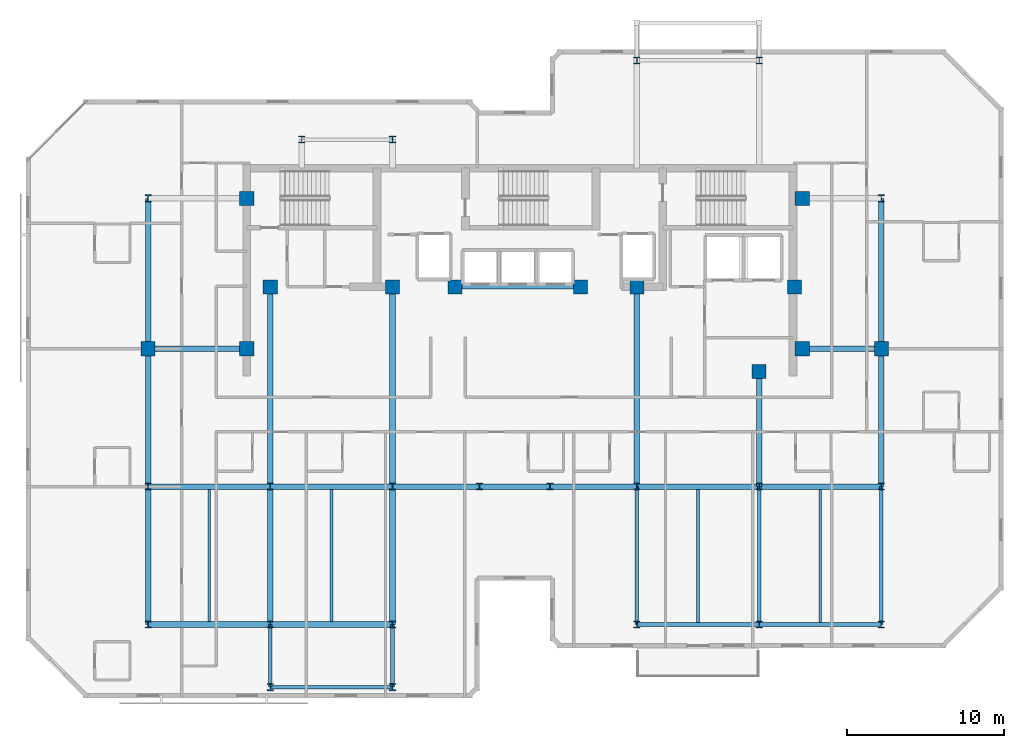
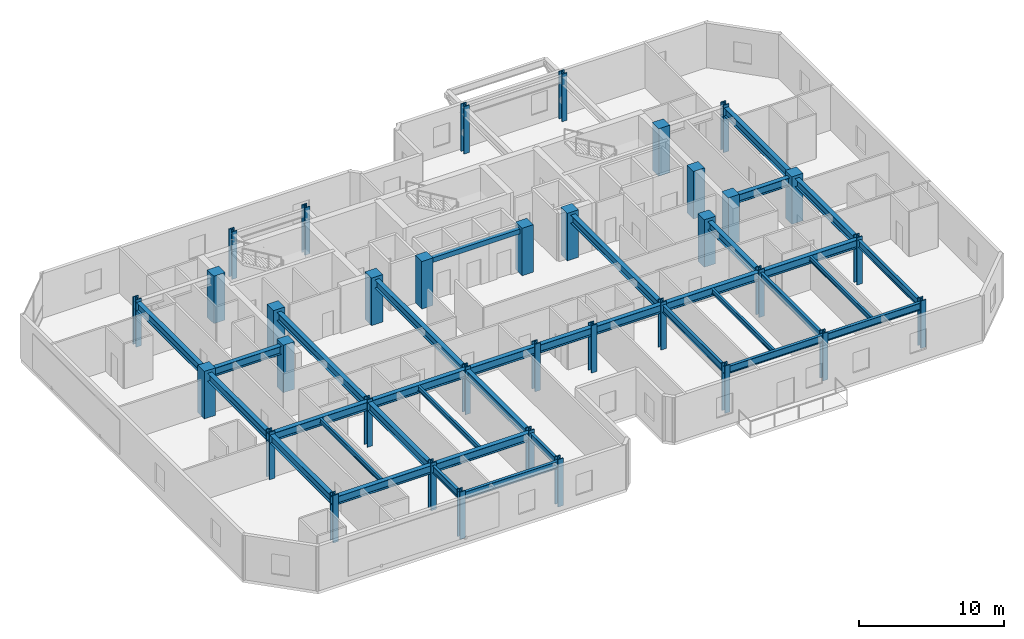
# One storey, part 1 of 10: 35 beams, 35 columns.
"""IFC4 building model written with IfcOpenShell, lengths in metres."""

from ifc_helpers import new_model, si_unit, direction, frame, origin, origin_2d, place, context, subcontext, project, spatial, rectangle, i_section, extrude, material, material_profile, profile_set, type_object, element, save


model = new_model("IFC4")

# Units and contexts
model_context = context("Model", 3, precision=1e-05, world=origin(), true_north=direction((0.0, 1.0)))
body_context = subcontext(model_context, "Body", "Model", "MODEL_VIEW")
ifc_project = project(units=[si_unit("LENGTHUNIT", "METRE"), si_unit("AREAUNIT", "SQUARE_METRE"), si_unit("VOLUMEUNIT", "CUBIC_METRE"), si_unit("PLANEANGLEUNIT", "RADIAN"), si_unit("MASSUNIT", "GRAM", prefix="KILO")], contexts=[model_context])

# Site, building, storey
site_placement = place(None, origin())
site = spatial("IfcSite", under=ifc_project, at=site_placement, CompositionType="ELEMENT")
building_placement = place(site_placement, origin())
building = spatial("IfcBuilding", under=site, at=building_placement, Name="Kestravale Grand Hotel", CompositionType="ELEMENT")
storey_placement = place(building_placement, frame((0.0, 0.0, 253.39990234375)))
storey = spatial("IfcBuildingStorey", under=building, at=storey_placement, Name="L63", CompositionType="ELEMENT", Elevation=253.39990234375)

# Columns
ifc_material_1 = material(Name="Concrete f'c 50 MPa", Category="concrete")
ifc_material_profile_1 = material_profile(ifc_material_1, rectangle(XDim=0.89990234375, YDim=0.89990234375, at=origin_2d()))
ifc_profile_set_1 = profile_set([ifc_material_profile_1], Name="Concrete f'c 50 MPa")
column_type_1 = type_object("IfcColumnType", Name="C-Z4-900", PredefinedType="COLUMN", material=ifc_profile_set_1)
for number, where, z_axis, x_axis, name in (
    (1, (15.60009765625, 28.800048828125, 0.0), (0.0, 0.0, 1.0), (1.0, 0.0, 0.0), "L63 column 3-E"),
    (2, (62.39990234375, 28.800048828125, 0.0), (0.0, 0.0, 1.0), (1.0, 0.0, 0.0), "L63 column 10-E"),
    (3, (21.89990234375, 28.800048828125, 0.0), (0.0, 0.0, 1.0), (1.0, 0.0, 0.0), "L63 column CW-E"),
    (4, (21.89990234375, 38.39990234375, 0.0), (0.0, 0.0, 1.0), (1.0, 0.0, 0.0), "L63 column CW-F"),
    (5, (57.35009765625, 28.800048828125, 0.0), (0.0, 0.0, 1.0), (1.0, 0.0, 0.0), "L63 column CE-E"),
    (6, (57.35009765625, 38.39990234375, 0.0), (0.0, 0.0, 1.0), (1.0, 0.0, 0.0), "L63 column CE-F"),
    (7, (23.39990234375, 32.75, 0.0), (0.0, 0.0, 1.0), (1.0, 0.0, 0.0), "L63 column 4-CS"),
    (8, (31.199951171875, 32.75, 0.0), (0.0, 0.0, 1.0), (1.0, 0.0, 0.0), "L63 column 5-CS"),
    (9, (35.199951171875, 32.75, 0.0), (0.0, 0.0, 1.0), (1.0, 0.0, 0.0), "L63 column 6C-CS"),
    (10, (43.199951171875, 32.75, 0.0), (0.0, 0.0, 1.0), (1.0, 0.0, 0.0), "L63 column 7C-CS"),
    (11, (46.800048828125, 32.75, 0.0), (0.0, 0.0, 1.0), (1.0, 0.0, 0.0), "L63 column 8-CS"),
    (12, (54.60009765625, 27.35009765625, 0.0), (0.0, 0.0, 1.0), (1.0, 0.0, 0.0), "L63 column 9-CS"),
    (13, (56.85009765625, 32.75, 0.0), (0.0, 0.0, 1.0), (1.0, 0.0, 0.0), "L63 column 9C-CS"),
):
    element("IfcColumn", number, at=place(storey_placement, frame(where, z_axis=z_axis, x_axis=x_axis)), inside=storey, type_object=column_type_1, Name=name, PredefinedType="COLUMN", context=body_context, shape_type="SweptSolid", body=[
        extrude(rectangle(XDim=0.89990234375, YDim=0.89990234375, at=origin_2d()), origin(), (0.0, 0.0, 1.0), 4.0),
    ])
ifc_material_2 = material(Name="Steel ASTM A992 Grade 50", Category="steel")
ifc_material_profile_2 = material_profile(ifc_material_2, i_section(OverallWidth=0.422119140625, OverallDepth=0.465087890625, WebThickness=0.044921875, FlangeThickness=0.072509765625, FilletRadius=0.0166015625, at=origin_2d()))
ifc_profile_set_2 = profile_set([ifc_material_profile_2], Name="Steel ASTM A992 Grade 50")
column_type_2 = type_object("IfcColumnType", Name="C-Z4-W14X398", PredefinedType="COLUMN", material=ifc_profile_set_2)
for number, where, z_axis, x_axis, name in (
    (14, (15.60009765625, 11.199951171875, 0.0), (0.0, 0.0, 1.0), (1.0, 0.0, 0.0), "L63 column 3-C"),
    (15, (15.60009765625, 20.0, 0.0), (0.0, 0.0, 1.0), (1.0, 0.0, 0.0), "L63 column 3-D"),
    (16, (15.60009765625, 38.39990234375, 0.0), (0.0, 0.0, 1.0), (1.0, 0.0, 0.0), "L63 column 3-F"),
    (17, (23.39990234375, 11.199951171875, 0.0), (0.0, 0.0, 1.0), (1.0, 0.0, 0.0), "L63 column 4-C"),
    (18, (23.39990234375, 20.0, 0.0), (0.0, 0.0, 1.0), (1.0, 0.0, 0.0), "L63 column 4-D"),
    (19, (31.199951171875, 11.199951171875, 0.0), (0.0, 0.0, 1.0), (1.0, 0.0, 0.0), "L63 column 5-C"),
    (20, (31.199951171875, 20.0, 0.0), (0.0, 0.0, 1.0), (1.0, 0.0, 0.0), "L63 column 5-D"),
    (21, (36.75, 20.0, 0.0), (0.0, 0.0, 1.0), (1.0, 0.0, 0.0), "L63 column 6-D"),
    (22, (41.25, 20.0, 0.0), (0.0, 0.0, 1.0), (1.0, 0.0, 0.0), "L63 column 7-D"),
    (23, (46.800048828125, 11.199951171875, 0.0), (0.0, 0.0, 1.0), (1.0, 0.0, 0.0), "L63 column 8-C"),
    (24, (46.800048828125, 20.0, 0.0), (0.0, 0.0, 1.0), (1.0, 0.0, 0.0), "L63 column 8-D"),
    (25, (46.800048828125, 47.199951171875, 0.0), (0.0, 0.0, 1.0), (1.0, 0.0, 0.0), "L63 column 8-G"),
    (26, (54.60009765625, 11.199951171875, 0.0), (0.0, 0.0, 1.0), (1.0, 0.0, 0.0), "L63 column 9-C"),
    (27, (54.60009765625, 20.0, 0.0), (0.0, 0.0, 1.0), (1.0, 0.0, 0.0), "L63 column 9-D"),
    (28, (54.60009765625, 47.199951171875, 0.0), (0.0, 0.0, 1.0), (1.0, 0.0, 0.0), "L63 column 9-G"),
    (29, (62.39990234375, 11.199951171875, 0.0), (0.0, 0.0, 1.0), (1.0, 0.0, 0.0), "L63 column 10-C"),
    (30, (62.39990234375, 20.0, 0.0), (0.0, 0.0, 1.0), (1.0, 0.0, 0.0), "L63 column 10-D"),
    (31, (62.39990234375, 38.39990234375, 0.0), (0.0, 0.0, 1.0), (1.0, 0.0, 0.0), "L63 column 10-F"),
    (32, (23.39990234375, 7.199951171875, 0.0), (0.0, 0.0, 1.0), (1.0, 0.0, 0.0), "L63 column 4-BS"),
    (33, (31.199951171875, 7.199951171875, 0.0), (0.0, 0.0, 1.0), (1.0, 0.0, 0.0), "L63 column 5-BS"),
    (34, (25.39990234375, 42.14990234375, 0.0), (0.0, 0.0, 1.0), (1.0, 0.0, 0.0), "L63 column 4-FN"),
    (35, (31.199951171875, 42.14990234375, 0.0), (0.0, 0.0, 1.0), (1.0, 0.0, 0.0), "L63 column 5-FN"),
):
    element("IfcColumn", number, at=place(storey_placement, frame(where, z_axis=z_axis, x_axis=x_axis)), inside=storey, type_object=column_type_2, Name=name, PredefinedType="COLUMN", context=body_context, shape_type="SweptSolid", body=[
        extrude(i_section(OverallWidth=0.422119140625, OverallDepth=0.465087890625, WebThickness=0.044921875, FlangeThickness=0.072509765625, FilletRadius=0.0166015625, at=origin_2d()), origin(), (0.0, 0.0, 1.0), 4.0),
    ])

# Beams
ifc_material_3 = material(Name="Steel ASTM A992 Grade 50", Category="steel")
ifc_material_profile_3 = material_profile(ifc_material_3, i_section(OverallWidth=0.177978515625, OverallDepth=0.404052734375, WebThickness=0.007568359375, FlangeThickness=0.010986328125, FilletRadius=0.01416015625, at=origin_2d()))
ifc_profile_set_3 = profile_set([ifc_material_profile_3], Name="Steel ASTM A992 Grade 50")
beam_type_1 = type_object("IfcBeamType", Name="B-FLR-JST16", PredefinedType="JOIST", material=ifc_profile_set_3)
for number, where, z_axis, x_axis, name in (
    (36, (19.5, 11.3779296875, 3.55810546875), (0.0, 1.0, 0.0), (-1.0, 0.0, 0.0), "L63 floor joist 3-4/C-D #1"),
    (37, (27.300048828125, 11.3779296875, 3.55810546875), (0.0, 1.0, 0.0), (-1.0, 0.0, 0.0), "L63 floor joist 4-5/C-D #1"),
):
    element("IfcBeam", number, at=place(storey_placement, frame(where, z_axis=z_axis, x_axis=x_axis)), inside=storey, type_object=beam_type_1, Name=name, PredefinedType="JOIST", context=body_context, shape_type="SweptSolid", body=[
        extrude(i_section(OverallWidth=0.177978515625, OverallDepth=0.404052734375, WebThickness=0.007568359375, FlangeThickness=0.010986328125, FilletRadius=0.01416015625, at=origin_2d()), origin(), (0.0, 0.0, 1.0), 8.444091796875),
    ])
for number, where, z_axis, x_axis, name in (
    (38, (50.699951171875, 11.314453125, 3.55810546875), (0.0, 1.0, 0.0), (-1.0, 0.0, 0.0), "L63 floor joist 8-9/C-D #1"),
    (39, (58.5, 11.314453125, 3.55810546875), (0.0, 1.0, 0.0), (-1.0, 0.0, 0.0), "L63 floor joist 9-10/C-D #1"),
):
    element("IfcBeam", number, at=place(storey_placement, frame(where, z_axis=z_axis, x_axis=x_axis)), inside=storey, type_object=beam_type_1, Name=name, PredefinedType="JOIST", context=body_context, shape_type="SweptSolid", body=[
        extrude(i_section(OverallWidth=0.177978515625, OverallDepth=0.404052734375, WebThickness=0.007568359375, FlangeThickness=0.010986328125, FilletRadius=0.01416015625, at=origin_2d()), origin(), (0.0, 0.0, 1.0), 8.507568359375),
    ])
ifc_material_4 = material(Name="Concrete f'c 45 MPa", Category="concrete")
ifc_material_profile_4 = material_profile(ifc_material_4, rectangle(XDim=0.300048828125, YDim=0.39990234375, at=origin_2d()))
ifc_profile_set_4 = profile_set([ifc_material_profile_4], Name="Concrete f'c 45 MPa")
beam_type_2 = type_object("IfcBeamType", Name="B-FLR-LNT400", PredefinedType="LINTEL", material=ifc_profile_set_4)
beam_1_placement = place(storey_placement, frame((35.199951171875, 32.75, 3.56005859375), z_axis=(1.0, 0.0, 0.0), x_axis=(0.0, 1.0, 0.0)))
element("IfcBeam", 40, at=beam_1_placement, inside=storey, type_object=beam_type_2, Name="L63 core portal header lintel", PredefinedType="LINTEL", context=body_context, shape_type="SweptSolid", body=[
    extrude(rectangle(XDim=0.300048828125, YDim=0.39990234375, at=origin_2d()), origin(), (0.0, 0.0, 1.0), 8.0),
])
ifc_material_5 = material(Name="Steel ASTM A992 Grade 50", Category="steel")
ifc_material_profile_5 = material_profile(ifc_material_5, i_section(OverallWidth=0.22900390625, OverallDepth=0.612060546875, WebThickness=0.011962890625, FlangeThickness=0.01953125, FilletRadius=0.019287109375, at=origin_2d()))
ifc_profile_set_5 = profile_set([ifc_material_profile_5], Name="Steel ASTM A992 Grade 50")
beam_type_3 = type_object("IfcBeamType", Name="B-FLR-W24B", PredefinedType="SPANDREL", material=ifc_profile_set_5)
beam_2_placement = place(storey_placement, frame((46.800048828125, 11.199951171875, 3.4541015625), z_axis=(1.0, 0.0, 0.0), x_axis=(0.0, 1.0, 0.0)))
element("IfcBeam", 41, at=beam_2_placement, inside=storey, type_object=beam_type_3, Name="L63 spandrel C:8-9", PredefinedType="SPANDREL", context=body_context, shape_type="SweptSolid", body=[
    extrude(i_section(OverallWidth=0.22900390625, OverallDepth=0.612060546875, WebThickness=0.011962890625, FlangeThickness=0.01953125, FilletRadius=0.019287109375, at=origin_2d()), origin(), (0.0, 0.0, 1.0), 7.800048828125),
])
beam_3_placement = place(storey_placement, frame((54.60009765625, 11.199951171875, 3.4541015625), z_axis=(1.0, 0.0, 0.0), x_axis=(0.0, 1.0, 0.0)))
element("IfcBeam", 42, at=beam_3_placement, inside=storey, type_object=beam_type_3, Name="L63 spandrel C:9-10", PredefinedType="SPANDREL", context=body_context, shape_type="SweptSolid", body=[
    extrude(i_section(OverallWidth=0.22900390625, OverallDepth=0.612060546875, WebThickness=0.011962890625, FlangeThickness=0.01953125, FilletRadius=0.019287109375, at=origin_2d()), origin(), (0.0, 0.0, 1.0), 7.7998046875),
])
beam_4_placement = place(storey_placement, frame((23.39990234375, 7.199951171875, 3.4541015625), z_axis=(1.0, 0.0, 0.0), x_axis=(0.0, 1.0, 0.0)))
element("IfcBeam", 43, at=beam_4_placement, inside=storey, type_object=beam_type_3, Name="L63 perimeter tie spandrel BS:4-5", PredefinedType="SPANDREL", context=body_context, shape_type="SweptSolid", body=[
    extrude(i_section(OverallWidth=0.22900390625, OverallDepth=0.612060546875, WebThickness=0.011962890625, FlangeThickness=0.01953125, FilletRadius=0.019287109375, at=origin_2d()), origin(), (0.0, 0.0, 1.0), 7.800048828125),
])
for number, where, z_axis, x_axis, name in (
    (44, (23.39990234375, 7.199951171875, 3.4541015625), (0.0, 1.0, 0.0), (-1.0, 0.0, 0.0), "L63 spandrel 4:BS-C"),
    (45, (31.199951171875, 7.199951171875, 3.4541015625), (0.0, 1.0, 0.0), (-1.0, 0.0, 0.0), "L63 spandrel 5:BS-C"),
):
    element("IfcBeam", number, at=place(storey_placement, frame(where, z_axis=z_axis, x_axis=x_axis)), inside=storey, type_object=beam_type_3, Name=name, PredefinedType="SPANDREL", context=body_context, shape_type="SweptSolid", body=[
        extrude(i_section(OverallWidth=0.22900390625, OverallDepth=0.612060546875, WebThickness=0.011962890625, FlangeThickness=0.01953125, FilletRadius=0.019287109375, at=origin_2d()), origin(), (0.0, 0.0, 1.0), 4.0),
    ])
for number, where, z_axis, x_axis, name in (
    (46, (46.800048828125, 11.199951171875, 3.4541015625), (0.0, 1.0, 0.0), (-1.0, 0.0, 0.0), "L63 spandrel 8:C-D"),
    (47, (54.60009765625, 11.199951171875, 3.4541015625), (0.0, 1.0, 0.0), (-1.0, 0.0, 0.0), "L63 spandrel 9:C-D"),
    (48, (62.39990234375, 11.199951171875, 3.4541015625), (0.0, 1.0, 0.0), (-1.0, 0.0, 0.0), "L63 spandrel 10:C-D"),
):
    element("IfcBeam", number, at=place(storey_placement, frame(where, z_axis=z_axis, x_axis=x_axis)), inside=storey, type_object=beam_type_3, Name=name, PredefinedType="SPANDREL", context=body_context, shape_type="SweptSolid", body=[
        extrude(i_section(OverallWidth=0.22900390625, OverallDepth=0.612060546875, WebThickness=0.011962890625, FlangeThickness=0.01953125, FilletRadius=0.019287109375, at=origin_2d()), origin(), (0.0, 0.0, 1.0), 8.800048828125),
    ])
ifc_material_6 = material(Name="Steel ASTM A992 Grade 50", Category="steel")
ifc_material_profile_6 = material_profile(ifc_material_6, i_section(OverallWidth=0.35595703125, OverallDepth=0.696044921875, WebThickness=0.015380859375, FlangeThickness=0.02490234375, FilletRadius=0.021240234375, at=origin_2d()))
ifc_profile_set_6 = profile_set([ifc_material_profile_6], Name="Steel ASTM A992 Grade 50")
beam_type_4 = type_object("IfcBeamType", Name="B-GRD-W27", PredefinedType="BEAM", material=ifc_profile_set_6)
beam_5_placement = place(storey_placement, frame((15.60009765625, 11.199951171875, 3.412109375), z_axis=(1.0, 0.0, 0.0), x_axis=(0.0, 1.0, 0.0)))
element("IfcBeam", 49, at=beam_5_placement, inside=storey, type_object=beam_type_4, Name="L63 girder C:3-4", PredefinedType="BEAM", context=body_context, shape_type="SweptSolid", body=[
    extrude(i_section(OverallWidth=0.35595703125, OverallDepth=0.696044921875, WebThickness=0.015380859375, FlangeThickness=0.02490234375, FilletRadius=0.021240234375, at=origin_2d()), origin(), (0.0, 0.0, 1.0), 7.7998046875),
])
beam_6_placement = place(storey_placement, frame((23.39990234375, 11.199951171875, 3.412109375), z_axis=(1.0, 0.0, 0.0), x_axis=(0.0, 1.0, 0.0)))
element("IfcBeam", 50, at=beam_6_placement, inside=storey, type_object=beam_type_4, Name="L63 girder C:4-5", PredefinedType="BEAM", context=body_context, shape_type="SweptSolid", body=[
    extrude(i_section(OverallWidth=0.35595703125, OverallDepth=0.696044921875, WebThickness=0.015380859375, FlangeThickness=0.02490234375, FilletRadius=0.021240234375, at=origin_2d()), origin(), (0.0, 0.0, 1.0), 7.800048828125),
])
beam_7_placement = place(storey_placement, frame((15.60009765625, 20.0, 3.412109375), z_axis=(1.0, 0.0, 0.0), x_axis=(0.0, 1.0, 0.0)))
element("IfcBeam", 51, at=beam_7_placement, inside=storey, type_object=beam_type_4, Name="L63 girder D:3-4", PredefinedType="BEAM", context=body_context, shape_type="SweptSolid", body=[
    extrude(i_section(OverallWidth=0.35595703125, OverallDepth=0.696044921875, WebThickness=0.015380859375, FlangeThickness=0.02490234375, FilletRadius=0.021240234375, at=origin_2d()), origin(), (0.0, 0.0, 1.0), 7.7998046875),
])
beam_8_placement = place(storey_placement, frame((23.39990234375, 20.0, 3.412109375), z_axis=(1.0, 0.0, 0.0), x_axis=(0.0, 1.0, 0.0)))
element("IfcBeam", 52, at=beam_8_placement, inside=storey, type_object=beam_type_4, Name="L63 girder D:4-5", PredefinedType="BEAM", context=body_context, shape_type="SweptSolid", body=[
    extrude(i_section(OverallWidth=0.35595703125, OverallDepth=0.696044921875, WebThickness=0.015380859375, FlangeThickness=0.02490234375, FilletRadius=0.021240234375, at=origin_2d()), origin(), (0.0, 0.0, 1.0), 7.800048828125),
])
beam_9_placement = place(storey_placement, frame((31.199951171875, 20.0, 3.412109375), z_axis=(1.0, 0.0, 0.0), x_axis=(0.0, 1.0, 0.0)))
element("IfcBeam", 53, at=beam_9_placement, inside=storey, type_object=beam_type_4, Name="L63 girder D:5-6", PredefinedType="BEAM", context=body_context, shape_type="SweptSolid", body=[
    extrude(i_section(OverallWidth=0.35595703125, OverallDepth=0.696044921875, WebThickness=0.015380859375, FlangeThickness=0.02490234375, FilletRadius=0.021240234375, at=origin_2d()), origin(), (0.0, 0.0, 1.0), 5.550048828125),
])
beam_10_placement = place(storey_placement, frame((36.75, 20.0, 3.412109375), z_axis=(1.0, 0.0, 0.0), x_axis=(0.0, 1.0, 0.0)))
element("IfcBeam", 54, at=beam_10_placement, inside=storey, type_object=beam_type_4, Name="L63 girder D:6-7", PredefinedType="BEAM", context=body_context, shape_type="SweptSolid", body=[
    extrude(i_section(OverallWidth=0.35595703125, OverallDepth=0.696044921875, WebThickness=0.015380859375, FlangeThickness=0.02490234375, FilletRadius=0.021240234375, at=origin_2d()), origin(), (0.0, 0.0, 1.0), 4.5),
])
beam_11_placement = place(storey_placement, frame((41.25, 20.0, 3.412109375), z_axis=(1.0, 0.0, 0.0), x_axis=(0.0, 1.0, 0.0)))
element("IfcBeam", 55, at=beam_11_placement, inside=storey, type_object=beam_type_4, Name="L63 girder D:7-8", PredefinedType="BEAM", context=body_context, shape_type="SweptSolid", body=[
    extrude(i_section(OverallWidth=0.35595703125, OverallDepth=0.696044921875, WebThickness=0.015380859375, FlangeThickness=0.02490234375, FilletRadius=0.021240234375, at=origin_2d()), origin(), (0.0, 0.0, 1.0), 5.550048828125),
])
beam_12_placement = place(storey_placement, frame((46.800048828125, 20.0, 3.412109375), z_axis=(1.0, 0.0, 0.0), x_axis=(0.0, 1.0, 0.0)))
element("IfcBeam", 56, at=beam_12_placement, inside=storey, type_object=beam_type_4, Name="L63 girder D:8-9", PredefinedType="BEAM", context=body_context, shape_type="SweptSolid", body=[
    extrude(i_section(OverallWidth=0.35595703125, OverallDepth=0.696044921875, WebThickness=0.015380859375, FlangeThickness=0.02490234375, FilletRadius=0.021240234375, at=origin_2d()), origin(), (0.0, 0.0, 1.0), 7.800048828125),
])
beam_13_placement = place(storey_placement, frame((54.60009765625, 20.0, 3.412109375), z_axis=(1.0, 0.0, 0.0), x_axis=(0.0, 1.0, 0.0)))
element("IfcBeam", 57, at=beam_13_placement, inside=storey, type_object=beam_type_4, Name="L63 girder D:9-10", PredefinedType="BEAM", context=body_context, shape_type="SweptSolid", body=[
    extrude(i_section(OverallWidth=0.35595703125, OverallDepth=0.696044921875, WebThickness=0.015380859375, FlangeThickness=0.02490234375, FilletRadius=0.021240234375, at=origin_2d()), origin(), (0.0, 0.0, 1.0), 7.7998046875),
])
beam_14_placement = place(storey_placement, frame((15.60009765625, 28.800048828125, 3.412109375), z_axis=(1.0, 0.0, 0.0), x_axis=(0.0, 1.0, 0.0)))
element("IfcBeam", 58, at=beam_14_placement, inside=storey, type_object=beam_type_4, Name="L63 girder E:3-CW", PredefinedType="BEAM", context=body_context, shape_type="SweptSolid", body=[
    extrude(i_section(OverallWidth=0.35595703125, OverallDepth=0.696044921875, WebThickness=0.015380859375, FlangeThickness=0.02490234375, FilletRadius=0.021240234375, at=origin_2d()), origin(), (0.0, 0.0, 1.0), 6.2998046875),
])
beam_15_placement = place(storey_placement, frame((57.35009765625, 28.800048828125, 3.412109375), z_axis=(1.0, 0.0, 0.0), x_axis=(0.0, 1.0, 0.0)))
element("IfcBeam", 59, at=beam_15_placement, inside=storey, type_object=beam_type_4, Name="L63 girder E:CE-10", PredefinedType="BEAM", context=body_context, shape_type="SweptSolid", body=[
    extrude(i_section(OverallWidth=0.35595703125, OverallDepth=0.696044921875, WebThickness=0.015380859375, FlangeThickness=0.02490234375, FilletRadius=0.021240234375, at=origin_2d()), origin(), (0.0, 0.0, 1.0), 5.0498046875),
])
for number, where, z_axis, x_axis, name in (
    (60, (15.60009765625, 11.199951171875, 3.412109375), (0.0, 1.0, 0.0), (-1.0, 0.0, 0.0), "L63 girder 3:C-D"),
    (61, (15.60009765625, 20.0, 3.412109375), (0.0, 1.0, 0.0), (-1.0, 0.0, 0.0), "L63 girder 3:D-E"),
):
    element("IfcBeam", number, at=place(storey_placement, frame(where, z_axis=z_axis, x_axis=x_axis)), inside=storey, type_object=beam_type_4, Name=name, PredefinedType="BEAM", context=body_context, shape_type="SweptSolid", body=[
        extrude(i_section(OverallWidth=0.35595703125, OverallDepth=0.696044921875, WebThickness=0.015380859375, FlangeThickness=0.02490234375, FilletRadius=0.021240234375, at=origin_2d()), origin(), (0.0, 0.0, 1.0), 8.800048828125),
    ])
beam_16_placement = place(storey_placement, frame((15.60009765625, 28.800048828125, 3.412109375), z_axis=(0.0, 1.0, 0.0), x_axis=(-1.0, 0.0, 0.0)))
element("IfcBeam", 62, at=beam_16_placement, inside=storey, type_object=beam_type_4, Name="L63 girder 3:E-F", PredefinedType="BEAM", context=body_context, shape_type="SweptSolid", body=[
    extrude(i_section(OverallWidth=0.35595703125, OverallDepth=0.696044921875, WebThickness=0.015380859375, FlangeThickness=0.02490234375, FilletRadius=0.021240234375, at=origin_2d()), origin(), (0.0, 0.0, 1.0), 9.599853515625),
])
beam_17_placement = place(storey_placement, frame((23.39990234375, 11.199951171875, 3.412109375), z_axis=(0.0, 1.0, 0.0), x_axis=(-1.0, 0.0, 0.0)))
element("IfcBeam", 63, at=beam_17_placement, inside=storey, type_object=beam_type_4, Name="L63 girder 4:C-D", PredefinedType="BEAM", context=body_context, shape_type="SweptSolid", body=[
    extrude(i_section(OverallWidth=0.35595703125, OverallDepth=0.696044921875, WebThickness=0.015380859375, FlangeThickness=0.02490234375, FilletRadius=0.021240234375, at=origin_2d()), origin(), (0.0, 0.0, 1.0), 8.800048828125),
])
beam_18_placement = place(storey_placement, frame((23.39990234375, 20.0, 3.412109375), z_axis=(0.0, 1.0, 0.0), x_axis=(-1.0, 0.0, 0.0)))
element("IfcBeam", 64, at=beam_18_placement, inside=storey, type_object=beam_type_4, Name="L63 girder 4:D-CS", PredefinedType="BEAM", context=body_context, shape_type="SweptSolid", body=[
    extrude(i_section(OverallWidth=0.35595703125, OverallDepth=0.696044921875, WebThickness=0.015380859375, FlangeThickness=0.02490234375, FilletRadius=0.021240234375, at=origin_2d()), origin(), (0.0, 0.0, 1.0), 12.75),
])
beam_19_placement = place(storey_placement, frame((31.199951171875, 11.199951171875, 3.412109375), z_axis=(0.0, 1.0, 0.0), x_axis=(-1.0, 0.0, 0.0)))
element("IfcBeam", 65, at=beam_19_placement, inside=storey, type_object=beam_type_4, Name="L63 girder 5:C-D", PredefinedType="BEAM", context=body_context, shape_type="SweptSolid", body=[
    extrude(i_section(OverallWidth=0.35595703125, OverallDepth=0.696044921875, WebThickness=0.015380859375, FlangeThickness=0.02490234375, FilletRadius=0.021240234375, at=origin_2d()), origin(), (0.0, 0.0, 1.0), 8.800048828125),
])
for number, where, z_axis, x_axis, name in (
    (66, (31.199951171875, 20.0, 3.412109375), (0.0, 1.0, 0.0), (-1.0, 0.0, 0.0), "L63 girder 5:D-CS"),
    (67, (46.800048828125, 20.0, 3.412109375), (0.0, 1.0, 0.0), (-1.0, 0.0, 0.0), "L63 girder 8:D-CS"),
):
    element("IfcBeam", number, at=place(storey_placement, frame(where, z_axis=z_axis, x_axis=x_axis)), inside=storey, type_object=beam_type_4, Name=name, PredefinedType="BEAM", context=body_context, shape_type="SweptSolid", body=[
        extrude(i_section(OverallWidth=0.35595703125, OverallDepth=0.696044921875, WebThickness=0.015380859375, FlangeThickness=0.02490234375, FilletRadius=0.021240234375, at=origin_2d()), origin(), (0.0, 0.0, 1.0), 12.75),
    ])
beam_20_placement = place(storey_placement, frame((54.60009765625, 20.0, 3.412109375), z_axis=(0.0, 1.0, 0.0), x_axis=(-1.0, 0.0, 0.0)))
element("IfcBeam", 68, at=beam_20_placement, inside=storey, type_object=beam_type_4, Name="L63 girder 9:D-CS", PredefinedType="BEAM", context=body_context, shape_type="SweptSolid", body=[
    extrude(i_section(OverallWidth=0.35595703125, OverallDepth=0.696044921875, WebThickness=0.015380859375, FlangeThickness=0.02490234375, FilletRadius=0.021240234375, at=origin_2d()), origin(), (0.0, 0.0, 1.0), 7.35009765625),
])
beam_21_placement = place(storey_placement, frame((62.39990234375, 20.0, 3.412109375), z_axis=(0.0, 1.0, 0.0), x_axis=(-1.0, 0.0, 0.0)))
element("IfcBeam", 69, at=beam_21_placement, inside=storey, type_object=beam_type_4, Name="L63 girder 10:D-E", PredefinedType="BEAM", context=body_context, shape_type="SweptSolid", body=[
    extrude(i_section(OverallWidth=0.35595703125, OverallDepth=0.696044921875, WebThickness=0.015380859375, FlangeThickness=0.02490234375, FilletRadius=0.021240234375, at=origin_2d()), origin(), (0.0, 0.0, 1.0), 8.800048828125),
])
beam_22_placement = place(storey_placement, frame((62.39990234375, 28.800048828125, 3.412109375), z_axis=(0.0, 1.0, 0.0), x_axis=(-1.0, 0.0, 0.0)))
element("IfcBeam", 70, at=beam_22_placement, inside=storey, type_object=beam_type_4, Name="L63 girder 10:E-F", PredefinedType="BEAM", context=body_context, shape_type="SweptSolid", body=[
    extrude(i_section(OverallWidth=0.35595703125, OverallDepth=0.696044921875, WebThickness=0.015380859375, FlangeThickness=0.02490234375, FilletRadius=0.021240234375, at=origin_2d()), origin(), (0.0, 0.0, 1.0), 9.599853515625),
])

save(model, "model.ifc")
